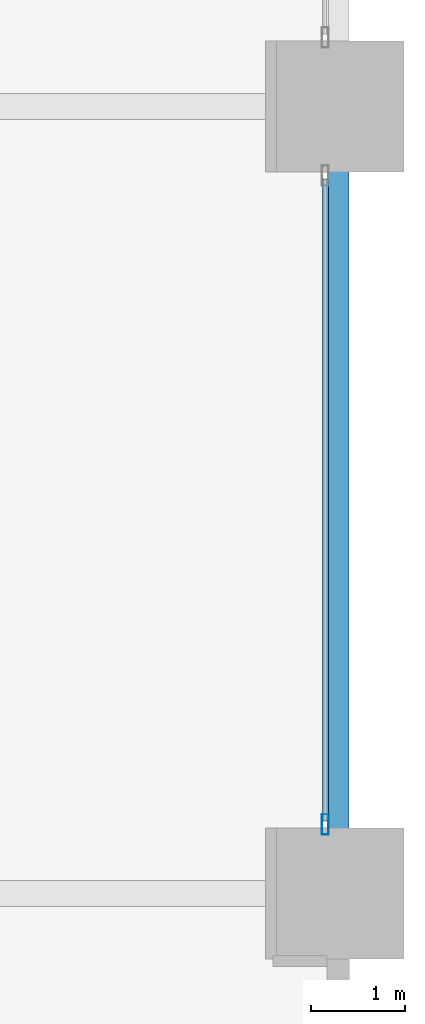
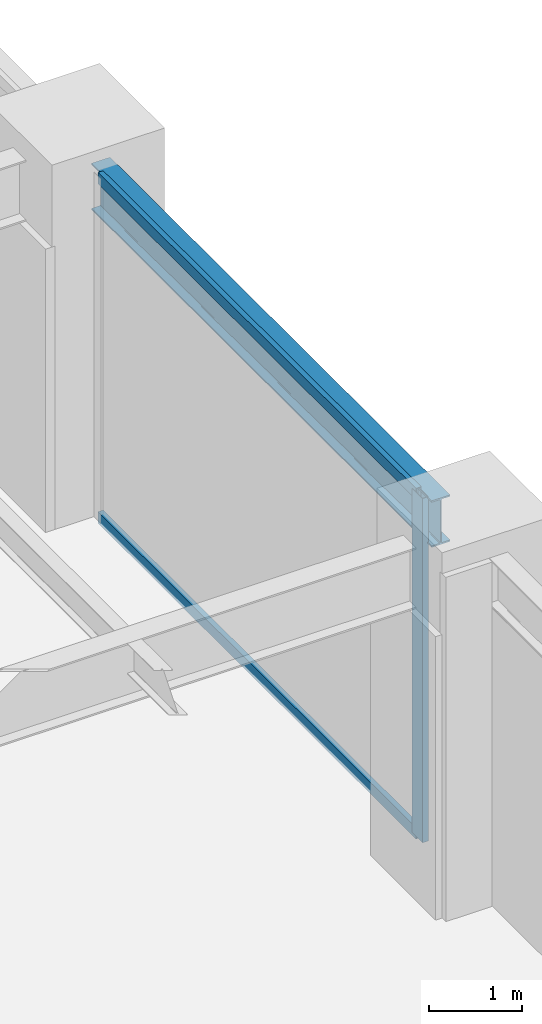
# One storey, part 6 of 23: 3 members, 1 beam, 1 element without a shape of its own.
"""IFC4 building model written with IfcOpenShell, lengths in metres."""

from ifc_helpers import new_model, si_unit, direction, frame, origin, origin_2d, place, context, subcontext, project, spatial, hollow_rectangle, i_section, extrude, material, layer, layer_set, material_profile, profile_set, type_object, element, aggregate, save


model = new_model("IFC4")

# Units and contexts
model_context = context("Model", 3, precision=1e-05, world=origin(), true_north=direction((0.0, 1.0)))
body_context = subcontext(model_context, "Body", "Model", "MODEL_VIEW")
ifc_project = project(units=[si_unit("LENGTHUNIT", "METRE"), si_unit("AREAUNIT", "SQUARE_METRE"), si_unit("VOLUMEUNIT", "CUBIC_METRE"), si_unit("PLANEANGLEUNIT", "RADIAN"), si_unit("MASSUNIT", "GRAM", prefix="KILO")], contexts=[model_context])

# Site, building, storey
site_placement = place(None, origin())
site = spatial("IfcSite", under=ifc_project, at=site_placement, CompositionType="ELEMENT")
building_placement = place(site_placement, origin())
building = spatial("IfcBuilding", under=site, at=building_placement, Name="Nerrivon Quay Data Exchange", CompositionType="ELEMENT")
storey_placement = place(building_placement, frame((0.0, 0.0, 5.39990234375)))
storey = spatial("IfcBuildingStorey", under=building, at=storey_placement, Name="L01", CompositionType="ELEMENT", Elevation=5.39990234375)

# Beam
ifc_material_1 = material(Name="Steel Grade 350", Category="steel")
ifc_material_profile_1 = material_profile(ifc_material_1, i_section(OverallWidth=0.22900390625, OverallDepth=0.612060546875, WebThickness=0.011962890625, FlangeThickness=0.01953125, FilletRadius=0.013916015625, at=origin_2d()), Name="610UB125")
ifc_profile_set_1 = profile_set([ifc_material_profile_1], Name="Steel Grade 350")
beam_type = type_object("IfcBeamType", Name="BM-G1-610UB125", PredefinedType="BEAM", material=ifc_profile_set_1)
beam_placement = place(storey_placement, frame((58.800048828125, 8.93994140625, 4.218994140625), z_axis=(0.0, 1.0, 0.0), x_axis=(-1.0, 0.0, 0.0)))
element("IfcBeam", 1, at=beam_placement, inside=storey, type_object=beam_type, Name="L01 NS Girder X=58.8 (8.4..16.8)", PredefinedType="BEAM", context=body_context, shape_type="SweptSolid", body=[
    extrude(i_section(OverallWidth=0.22900390625, OverallDepth=0.612060546875, WebThickness=0.011962890625, FlangeThickness=0.01953125, FilletRadius=0.013916015625, at=origin_2d()), origin(), (0.0, 0.0, 1.0), 7.320068359375),
])

# Curtain wall, members
ifc_material_2 = material(Name="Anodised aluminium 6063-T6", Category="aluminium")
ifc_layer = layer(ifc_material_2, 0.239990234375)
ifc_layer_set = layer_set([ifc_layer], Name="Anodised aluminium 6063-T6")
curtain_wall_type = type_object("IfcCurtainWallType", Name="CW-SYS-03", PredefinedType="NOTDEFINED", material=ifc_layer_set)
curtain_wall_placement = place(storey_placement, origin())
curtain_wall = element("IfcCurtainWall", 2, at=curtain_wall_placement, inside=storey, type_object=curtain_wall_type, Name="L01 Unitised Curtain Wall 18", PredefinedType="NOTDEFINED")
ifc_material_profile_2 = material_profile(ifc_material_2, hollow_rectangle(XDim=0.074951171875, YDim=0.219970703125, WallThickness=0.00390625, at=origin_2d()), Name="ALU-MULL-220x75")
ifc_profile_set_2 = profile_set([ifc_material_profile_2], Name="Anodised aluminium 6063-T6")
member_type_1 = type_object("IfcMemberType", Name="CWM-220x75", PredefinedType="MULLION", material=ifc_profile_set_2)
member_1_placement = place(storey_placement, frame((58.659912109375, 9.137451171875, 0.0), z_axis=(0.0, 0.0, 1.0), x_axis=(1.0, 0.0, 0.0)))
member_1 = element("IfcMember", 3, at=member_1_placement, type_object=member_type_1, Name="CW03 mullion 2", PredefinedType="MULLION", context=body_context, shape_type="SweptSolid", body=[
    extrude(hollow_rectangle(XDim=0.074951171875, YDim=0.219970703125, WallThickness=0.00390625, at=origin_2d()), origin(), (0.0, 0.0, 1.0), 4.525146484375),
])
ifc_material_profile_3 = material_profile(ifc_material_2, hollow_rectangle(XDim=0.06494140625, YDim=0.14990234375, WallThickness=0.00341796875, at=origin_2d()), Name="ALU-TRAN-150x65")
ifc_profile_set_3 = profile_set([ifc_material_profile_3], Name="Anodised aluminium 6063-T6")
member_type_2 = type_object("IfcMemberType", Name="CWT-150x65", PredefinedType="USERDEFINED", material=ifc_profile_set_3)
member_2_placement = place(storey_placement, frame((58.659912109375, 16.02490234375, 0.03271484375), z_axis=(0.0, -1.0, 0.0), x_axis=(1.0, 0.0, 0.0)))
member_2 = element("IfcMember", 4, at=member_2_placement, type_object=member_type_2, Name="CW03 transom 1.1", ObjectType="TRANSOM", PredefinedType="USERDEFINED", context=body_context, shape_type="SweptSolid", body=[
    extrude(hollow_rectangle(XDim=0.06494140625, YDim=0.14990234375, WallThickness=0.00341796875, at=origin_2d()), origin(), (0.0, 0.0, 1.0), 6.849853515625),
])
member_3_placement = place(storey_placement, frame((58.659912109375, 16.02490234375, 4.49267578125), z_axis=(0.0, -1.0, 0.0), x_axis=(1.0, 0.0, 0.0)))
member_3 = element("IfcMember", 5, at=member_3_placement, type_object=member_type_2, Name="CW03 transom 1.2", ObjectType="TRANSOM", PredefinedType="USERDEFINED", context=body_context, shape_type="SweptSolid", body=[
    extrude(hollow_rectangle(XDim=0.06494140625, YDim=0.14990234375, WallThickness=0.00341796875, at=origin_2d()), origin(), (0.0, 0.0, 1.0), 6.849853515625),
])
aggregate(curtain_wall, [member_1, member_2, member_3])

save(model, "model.ifc")
